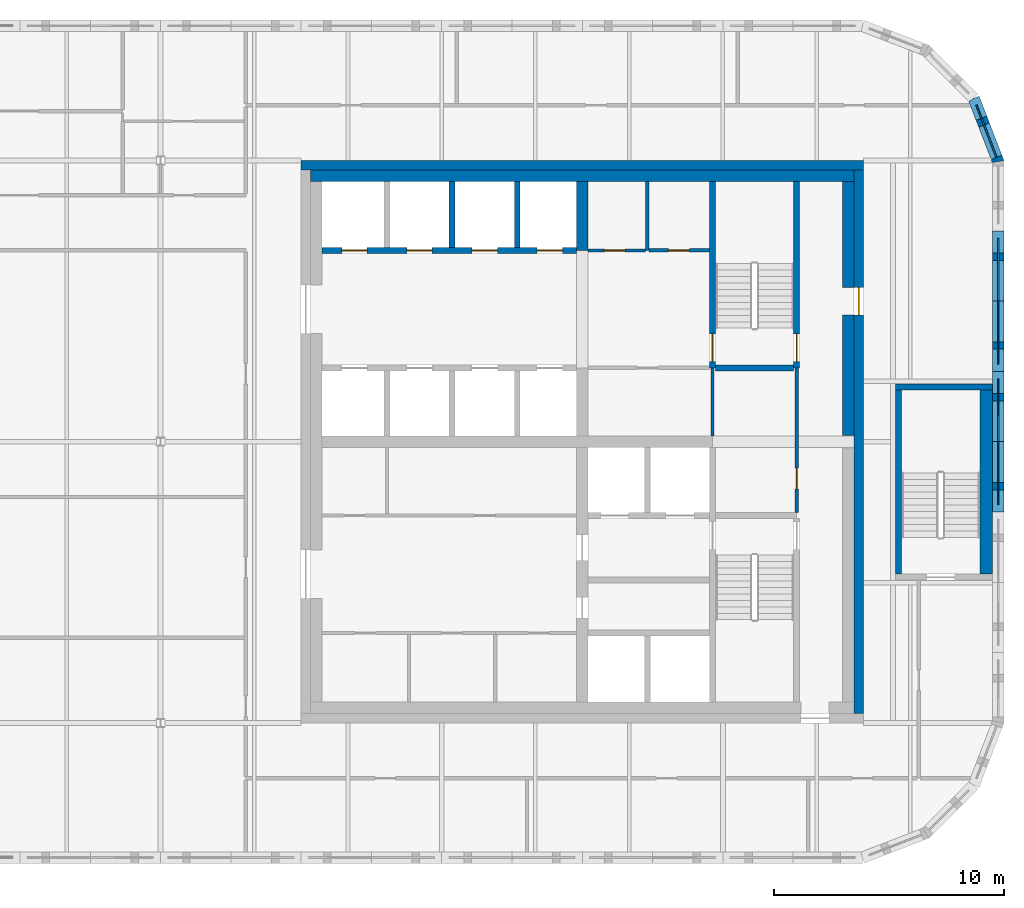
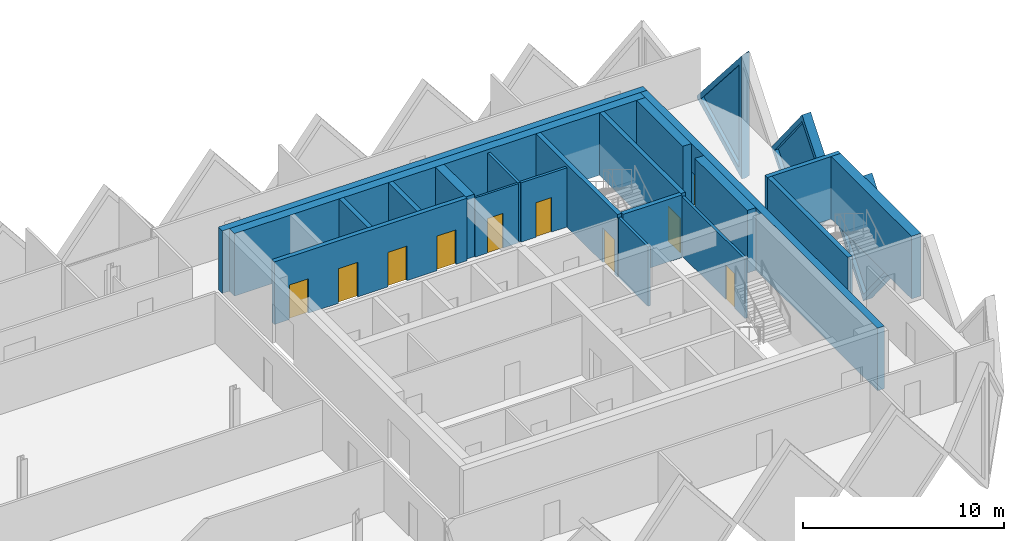
# One storey, part 7 of 11: 23 walls, 10 doors, 3 plates, 13 openings.
"""IFC4 building model written with IfcOpenShell, lengths in metres."""

from ifc_helpers import new_model, si_unit, direction, frame, frame_2d, origin, place, context, subcontext, project, spatial, polyline, rectangle, outline, extrude, faceted_brep, source, transform, mapped, material, layer, layer_set, type_object, element, fill, save


model = new_model("IFC4")

# Units and contexts
model_context = context("Model", 3, precision=1e-05, world=origin(), true_north=direction((0.0, 1.0)))
body_context = subcontext(model_context, "Body", "Model", "MODEL_VIEW")
ifc_project = project(units=[si_unit("LENGTHUNIT", "METRE"), si_unit("AREAUNIT", "SQUARE_METRE"), si_unit("VOLUMEUNIT", "CUBIC_METRE"), si_unit("PLANEANGLEUNIT", "RADIAN"), si_unit("MASSUNIT", "GRAM", prefix="KILO")], contexts=[model_context])

# Site, building, storey
site_placement = place(None, origin())
site = spatial("IfcSite", under=ifc_project, at=site_placement, CompositionType="ELEMENT")
building_placement = place(site_placement, origin())
building = spatial("IfcBuilding", under=site, at=building_placement, Name="Tessera Gate Towers", CompositionType="ELEMENT")
storey_placement = place(building_placement, frame((0.0, 0.0, 240.699951171875)))
storey = spatial("IfcBuildingStorey", under=building, at=storey_placement, Name="L60", CompositionType="ELEMENT", Elevation=240.699951171875)

# Wall, openings, doors
ifc_material_1 = material(Name="Concrete C40/50", Category="concrete")
ifc_layer_1 = layer(ifc_material_1, 0.25)
ifc_layer_set_1 = layer_set([ifc_layer_1], Name="CORE ENCLOSURE WALL 250")
wall_type_1 = type_object("IfcWallType", Name="CORE ENCLOSURE WALL 250", PredefinedType="SOLIDWALL", material=ifc_layer_set_1)
wall_1_placement = place(storey_placement, frame((42.449951171875, 44.89990234375, 0.0), z_axis=(0.0, 0.0, 1.0), x_axis=(-1.0, 0.0, 0.0)))
wall_1 = element("IfcWall", 1, at=wall_1_placement, inside=storey, type_object=wall_type_1, Name="L60 shaft and stair enclosure wall", PredefinedType="SOLIDWALL", context=body_context, shape_type="SweptSolid", body=[
    extrude(rectangle(XDim=11.050048828125, YDim=0.25, at=frame_2d((5.52490234375, 0.0))), origin(), (0.0, 0.0, 1.0), 3.800048828125),
])
shared_shape_1 = source(origin(), body_context, "Body", "SweptSolid", [
    extrude(rectangle(XDim=1.10009765625, YDim=2.10009765625, at=frame_2d((0.550048828125, 1.050048828125))), frame((0.0, 0.135009765625, 0.0), z_axis=(0.0, -1.0, 0.0), x_axis=(1.0, 0.0, 0.0)), (0.0, 0.0, 1.0), 0.27001953125),
])
opening_1_placement = place(wall_1_placement, frame((9.08740234375, 0.0, 0.0)))
opening_1 = element("IfcOpeningElement", 2, at=opening_1_placement, cuts=wall_1, Name="Opening LD-HR5", PredefinedType="OPENING", context=body_context, shape_type="MappedRepresentation", body=[
    mapped(shared_shape_1, transform((0.0, 0.0, 0.0), scale=1.0)),
])
opening_2_placement = place(wall_1_placement, frame((6.262451171875, 0.0, 0.0)))
opening_2 = element("IfcOpeningElement", 3, at=opening_2_placement, cuts=wall_1, Name="Opening LD-HR6", PredefinedType="OPENING", context=body_context, shape_type="MappedRepresentation", body=[
    mapped(shared_shape_1, transform((0.0, 0.0, 0.0), scale=1.0)),
])
opening_3_placement = place(wall_1_placement, frame((3.4375, 0.0, 0.0)))
opening_3 = element("IfcOpeningElement", 4, at=opening_3_placement, cuts=wall_1, Name="Opening LD-HR7", PredefinedType="OPENING", context=body_context, shape_type="MappedRepresentation", body=[
    mapped(shared_shape_1, transform((0.0, 0.0, 0.0), scale=1.0)),
])
opening_4_placement = place(wall_1_placement, frame((0.612548828125, 0.0, 0.0)))
opening_4 = element("IfcOpeningElement", 5, at=opening_4_placement, cuts=wall_1, Name="Opening LD-HR8", PredefinedType="OPENING", context=body_context, shape_type="MappedRepresentation", body=[
    mapped(shared_shape_1, transform((0.0, 0.0, 0.0), scale=1.0)),
])
ifc_material_2 = material(Name="Stainless steel", Category="steel")
door_type_1 = type_object("IfcDoorType", Name="CORE DOOR LD 1100x2100", OperationType="DOUBLE_DOOR_SLIDING", PredefinedType="DOOR", material=ifc_material_2)
shared_shape_2 = source(origin(), body_context, "Body", "SweptSolid", [
    extrude(rectangle(XDim=1.10009765625, YDim=2.10009765625, at=frame_2d((0.550048828125, 1.050048828125))), frame((0.0, 0.02490234375, 0.0), z_axis=(0.0, -1.0, 0.0), x_axis=(1.0, 0.0, 0.0)), (0.0, 0.0, 1.0), 0.050048828125),
])
door_1_placement = place(opening_1_placement, origin())
door_1 = element("IfcDoor", 6, at=door_1_placement, inside=storey, type_object=door_type_1, Name="Landing door HR5 L60", OperationType="DOUBLE_DOOR_SLIDING", OverallHeight=2.10009765625, OverallWidth=1.10009765625, PredefinedType="DOOR", context=body_context, shape_type="MappedRepresentation", body=[
    mapped(shared_shape_2, transform((0.0, 0.0, 0.0), scale=1.0)),
])
fill(opening_1, door_1)
door_2_placement = place(opening_2_placement, origin())
door_2 = element("IfcDoor", 7, at=door_2_placement, inside=storey, type_object=door_type_1, Name="Landing door HR6 L60", OperationType="DOUBLE_DOOR_SLIDING", OverallHeight=2.10009765625, OverallWidth=1.10009765625, PredefinedType="DOOR", context=body_context, shape_type="MappedRepresentation", body=[
    mapped(shared_shape_2, transform((0.0, 0.0, 0.0), scale=1.0)),
])
fill(opening_2, door_2)
door_3_placement = place(opening_3_placement, origin())
door_3 = element("IfcDoor", 8, at=door_3_placement, inside=storey, type_object=door_type_1, Name="Landing door HR7 L60", OperationType="DOUBLE_DOOR_SLIDING", OverallHeight=2.10009765625, OverallWidth=1.10009765625, PredefinedType="DOOR", context=body_context, shape_type="MappedRepresentation", body=[
    mapped(shared_shape_2, transform((0.0, 0.0, 0.0), scale=1.0)),
])
fill(opening_3, door_3)
door_4_placement = place(opening_4_placement, origin())
door_4 = element("IfcDoor", 9, at=door_4_placement, inside=storey, type_object=door_type_1, Name="Landing door HR8 L60", OperationType="DOUBLE_DOOR_SLIDING", OverallHeight=2.10009765625, OverallWidth=1.10009765625, PredefinedType="DOOR", context=body_context, shape_type="MappedRepresentation", body=[
    mapped(shared_shape_2, transform((0.0, 0.0, 0.0), scale=1.0)),
])
fill(opening_4, door_4)

# Wall, opening, door
wall_2_placement = place(storey_placement, frame((48.35009765625, 47.89990234375, 0.0), z_axis=(0.0, 0.0, 1.0), x_axis=(0.0, -1.0, 0.0)))
wall_2 = element("IfcWall", 10, at=wall_2_placement, inside=storey, type_object=wall_type_1, Name="L60 shaft and stair enclosure wall", PredefinedType="SOLIDWALL", context=body_context, shape_type="SweptSolid", body=[
    extrude(rectangle(XDim=8.099853515625, YDim=0.25, at=frame_2d((4.0498046875, 0.0))), origin(), (0.0, 0.0, 1.0), 3.800048828125),
])
shared_shape_3 = source(origin(), body_context, "Body", "SweptSolid", [
    extrude(rectangle(XDim=1.199951171875, YDim=2.10009765625, at=frame_2d((0.60009765625, 1.050048828125))), frame((0.0, 0.135009765625, 0.0), z_axis=(0.0, -1.0, 0.0), x_axis=(1.0, 0.0, 0.0)), (0.0, 0.0, 1.0), 0.27001953125),
])
opening_5_placement = place(wall_2_placement, frame((6.625, 0.0, 0.0)))
opening_5 = element("IfcOpeningElement", 11, at=opening_5_placement, cuts=wall_2, Name="Opening SD-ST2-1", PredefinedType="OPENING", context=body_context, shape_type="MappedRepresentation", body=[
    mapped(shared_shape_3, transform((0.0, 0.0, 0.0), scale=1.0)),
])
ifc_material_3 = material(Name="Hollow steel fire door", Category="steel")
door_type_2 = type_object("IfcDoorType", Name="CORE DOOR SD 1200x2100", OperationType="NOTDEFINED", PredefinedType="DOOR", material=ifc_material_3)
shared_shape_4 = source(origin(), body_context, "Body", "SweptSolid", [
    extrude(rectangle(XDim=1.199951171875, YDim=2.10009765625, at=frame_2d((0.60009765625, 1.050048828125))), frame((0.0, 0.02490234375, 0.0), z_axis=(0.0, -1.0, 0.0), x_axis=(1.0, 0.0, 0.0)), (0.0, 0.0, 1.0), 0.050048828125),
])
door_5_placement = place(opening_5_placement, origin())
door_5 = element("IfcDoor", 12, at=door_5_placement, inside=storey, type_object=door_type_2, Name="Stair door", OperationType="SINGLE_SWING_RIGHT", OverallHeight=2.10009765625, OverallWidth=1.199951171875, PredefinedType="DOOR", context=body_context, shape_type="MappedRepresentation", body=[
    mapped(shared_shape_4, transform((0.0, 0.0, 0.0), scale=1.0)),
])
fill(opening_5, door_5)

wall_3_placement = place(storey_placement, frame((52.0, 39.800048828125, 0.0), z_axis=(0.0, 0.0, 1.0), x_axis=(0.0, 1.0, 0.0)))
wall_3 = element("IfcWall", 13, at=wall_3_placement, inside=storey, type_object=wall_type_1, Name="L60 shaft and stair enclosure wall", PredefinedType="SOLIDWALL", context=body_context, shape_type="SweptSolid", body=[
    extrude(rectangle(XDim=8.099853515625, YDim=0.25, at=frame_2d((4.0498046875, 0.0))), origin(), (0.0, 0.0, 1.0), 3.800048828125),
])
opening_6_placement = place(wall_3_placement, frame((0.27490234375, 0.0, 0.0)))
opening_6 = element("IfcOpeningElement", 14, at=opening_6_placement, cuts=wall_3, Name="Opening SD-ST2-2", PredefinedType="OPENING", context=body_context, shape_type="MappedRepresentation", body=[
    mapped(shared_shape_3, transform((0.0, 0.0, 0.0), scale=1.0)),
])
door_6_placement = place(opening_6_placement, origin())
door_6 = element("IfcDoor", 15, at=door_6_placement, inside=storey, type_object=door_type_2, Name="Stair door", OperationType="SINGLE_SWING_LEFT", OverallHeight=2.10009765625, OverallWidth=1.199951171875, PredefinedType="DOOR", context=body_context, shape_type="MappedRepresentation", body=[
    mapped(shared_shape_4, transform((0.0, 0.0, 0.0), scale=1.0)),
])
fill(opening_6, door_6)

# Walls
wall_4_placement = place(storey_placement, frame((48.47509765625, 39.800048828125, 0.0), z_axis=(0.0, 0.0, 1.0), x_axis=(1.0, 0.0, 0.0)))
element("IfcWall", 16, at=wall_4_placement, inside=storey, type_object=wall_type_1, Name="L60 shaft and stair enclosure wall", PredefinedType="SOLIDWALL", context=body_context, shape_type="SweptSolid", body=[
    extrude(rectangle(XDim=3.39990234375, YDim=0.25, at=frame_2d((1.699951171875, 0.0))), origin(), (0.0, 0.0, 1.0), 3.800048828125),
])
for number, where, z_axis, x_axis, name in (
    (17, (37.050048828125, 45.02490234375, 0.0), (0.0, 0.0, 1.0), (0.0, 1.0, 0.0), "L60 shaft and stair enclosure wall"),
    (18, (39.875, 45.02490234375, 0.0), (0.0, 0.0, 1.0), (0.0, 1.0, 0.0), "L60 shaft and stair enclosure wall"),
):
    element("IfcWall", number, at=place(storey_placement, frame(where, z_axis=z_axis, x_axis=x_axis)), inside=storey, type_object=wall_type_1, Name=name, PredefinedType="SOLIDWALL", context=body_context, shape_type="SweptSolid", body=[
        extrude(rectangle(XDim=2.875, YDim=0.25, at=frame_2d((1.4375, 0.0))), origin(), (0.0, 0.0, 1.0), 3.800048828125),
    ])
wall_5_placement = place(storey_placement, frame((56.425048828125, 30.85009765625, 0.0), z_axis=(0.0, 0.0, 1.0), x_axis=(0.0, 1.0, 0.0)))
element("IfcWall", 19, at=wall_5_placement, inside=storey, type_object=wall_type_1, Name="L60 ST5 enclosure wall", PredefinedType="SOLIDWALL", context=body_context, shape_type="SweptSolid", body=[
    extrude(rectangle(XDim=8.0, YDim=0.25, at=frame_2d((4.0, 0.0))), origin(), (0.0, 0.0, 1.0), 3.800048828125),
])
wall_6_placement = place(storey_placement, frame((56.300048828125, 38.97509765625, 0.0), z_axis=(0.0, 0.0, 1.0), x_axis=(1.0, 0.0, 0.0)))
element("IfcWall", 20, at=wall_6_placement, inside=storey, type_object=wall_type_1, Name="L60 ST5 enclosure wall", PredefinedType="SOLIDWALL", context=body_context, shape_type="SweptSolid", body=[
    extrude(rectangle(XDim=4.199951171875, YDim=0.25, at=frame_2d((2.10009765625, 0.0))), origin(), (0.0, 0.0, 1.0), 3.800048828125),
])
ifc_material_4 = material(Name="Concrete C40/50", Category="concrete")
ifc_layer_2 = layer(ifc_material_4, 0.550048828125)
ifc_layer_set_2 = layer_set([ifc_layer_2], Name="CORE ENCLOSURE WALL 550")
wall_type_2 = type_object("IfcWallType", Name="CORE ENCLOSURE WALL 550", PredefinedType="SOLIDWALL", material=ifc_layer_set_2)
wall_7_placement = place(storey_placement, frame((60.22509765625, 38.85009765625, 0.0), z_axis=(0.0, 0.0, 1.0), x_axis=(0.0, -1.0, 0.0)))
element("IfcWall", 21, at=wall_7_placement, inside=storey, type_object=wall_type_2, Name="L60 ST5 enclosure wall", PredefinedType="SOLIDWALL", context=body_context, shape_type="SweptSolid", body=[
    extrude(rectangle(XDim=8.0, YDim=0.550048828125, at=frame_2d((4.0, 0.0))), origin(), (0.0, 0.0, 1.0), 3.800048828125),
])

# Wall, opening, door
ifc_material_5 = material(Name="Gypsum board on steel studs", Category="steel")
ifc_layer_3 = layer(ifc_material_5, 0.1201171875)
ifc_layer_set_3 = layer_set([ifc_layer_3], Name="CORE PARTITION 120")
wall_type_3 = type_object("IfcWallType", Name="CORE PARTITION 120", PredefinedType="PARTITIONING", material=ifc_layer_set_3)
wall_8_placement = place(storey_placement, frame((42.949951171875, 44.89990234375, 0.0), z_axis=(0.0, 0.0, 1.0), x_axis=(1.0, 0.0, 0.0)))
wall_8 = element("IfcWall", 22, at=wall_8_placement, inside=storey, type_object=wall_type_3, Name="L60 core partition", PredefinedType="PARTITIONING", context=body_context, shape_type="SweptSolid", body=[
    extrude(rectangle(XDim=2.5, YDim=0.1201171875, at=frame_2d((1.25, 0.0))), origin(), (0.0, 0.0, 1.0), 3.60009765625),
])
shared_shape_5 = source(origin(), body_context, "Body", "SweptSolid", [
    extrude(rectangle(XDim=0.89990234375, YDim=2.10009765625, at=frame_2d((0.449951171875, 1.050048828125))), frame((0.0, 0.070068359375, 0.0), z_axis=(0.0, -1.0, 0.0), x_axis=(1.0, 0.0, 0.0)), (0.0, 0.0, 1.0), 0.14013671875),
])
opening_7_placement = place(wall_8_placement, frame((0.71240234375, 0.0, 0.0)))
opening_7 = element("IfcOpeningElement", 23, at=opening_7_placement, cuts=wall_8, Name="Opening RD-T1-36-14", PredefinedType="OPENING", context=body_context, shape_type="MappedRepresentation", body=[
    mapped(shared_shape_5, transform((0.0, 0.0, 0.0), scale=1.0)),
])
ifc_material_6 = material(Name="Hollow steel fire door", Category="steel")
door_type_3 = type_object("IfcDoorType", Name="CORE DOOR RD 900x2100", OperationType="NOTDEFINED", PredefinedType="DOOR", material=ifc_material_6)
shared_shape_6 = source(origin(), body_context, "Body", "SweptSolid", [
    extrude(rectangle(XDim=0.89990234375, YDim=2.10009765625, at=frame_2d((0.449951171875, 1.050048828125))), frame((0.0, 0.02490234375, 0.0), z_axis=(0.0, -1.0, 0.0), x_axis=(1.0, 0.0, 0.0)), (0.0, 0.0, 1.0), 0.050048828125),
])
door_7_placement = place(opening_7_placement, origin())
door_7 = element("IfcDoor", 24, at=door_7_placement, inside=storey, type_object=door_type_3, Name="Core room door", OperationType="SINGLE_SWING_LEFT", OverallHeight=2.10009765625, OverallWidth=0.89990234375, PredefinedType="DOOR", context=body_context, shape_type="MappedRepresentation", body=[
    mapped(shared_shape_6, transform((0.0, 0.0, 0.0), scale=1.0)),
])
fill(opening_7, door_7)

# Wall
ifc_material_7 = material(Name="Concrete C40/50", Category="concrete")
ifc_layer_4 = layer(ifc_material_7, 0.39990234375)
ifc_layer_set_4 = layer_set([ifc_layer_4], Name="CORE SHEAR WALL 400 C40/50")
wall_type_4 = type_object("IfcWallType", Name="CORE SHEAR WALL 400 C40/50", PredefinedType="SHEAR", material=ifc_layer_set_4)
wall_9_placement = place(storey_placement, frame((30.5, 48.60009765625, 0.0), z_axis=(0.0, 0.0, 1.0), x_axis=(1.0, 0.0, 0.0)))
element("IfcWall", 25, at=wall_9_placement, inside=storey, type_object=wall_type_4, Name="Core wall N L60", PredefinedType="SHEAR", context=body_context, shape_type="SweptSolid", body=[
    extrude(rectangle(XDim=24.39990234375, YDim=0.39990234375, at=frame_2d((12.199951171875, 0.0))), origin(), (0.0, 0.0, 1.0), 3.800048828125),
])

# Wall, opening, door
wall_10_placement = place(storey_placement, frame((54.699951171875, 48.39990234375, 0.0), z_axis=(0.0, 0.0, 1.0), x_axis=(0.0, -1.0, 0.0)))
wall_10 = element("IfcWall", 26, at=wall_10_placement, inside=storey, type_object=wall_type_4, Name="Core wall E L60", PredefinedType="SHEAR", context=body_context, shape_type="SweptSolid", body=[
    extrude(rectangle(XDim=23.599853515625, YDim=0.39990234375, at=frame_2d((11.7998046875, 0.0))), origin(), (0.0, 0.0, 1.0), 3.800048828125),
])
shared_shape_7 = source(origin(), body_context, "Body", "SweptSolid", [
    extrude(rectangle(XDim=1.199951171875, YDim=2.10009765625, at=frame_2d((0.60009765625, 1.050048828125))), frame((0.0, 0.2099609375, 0.0), z_axis=(0.0, -1.0, 0.0), x_axis=(1.0, 0.0, 0.0)), (0.0, 0.0, 1.0), 0.419921875),
])
opening_8_placement = place(wall_10_placement, frame((5.10009765625, 0.0, 0.0)))
opening_8 = element("IfcOpeningElement", 27, at=opening_8_placement, cuts=wall_10, Name="Opening ED-T1-36-04", PredefinedType="OPENING", context=body_context, shape_type="MappedRepresentation", body=[
    mapped(shared_shape_7, transform((0.0, 0.0, 0.0), scale=1.0)),
])
ifc_material_8 = material(Name="Hollow steel fire door", Category="steel")
door_type_4 = type_object("IfcDoorType", Name="CORE DOOR ED 1200x2100", OperationType="NOTDEFINED", PredefinedType="DOOR", material=ifc_material_8)
door_8_placement = place(opening_8_placement, origin())
door_8 = element("IfcDoor", 28, at=door_8_placement, inside=storey, type_object=door_type_4, Name="Core exit door", OperationType="SINGLE_SWING_LEFT", OverallHeight=2.10009765625, OverallWidth=1.199951171875, PredefinedType="DOOR", context=body_context, shape_type="MappedRepresentation", body=[
    mapped(shared_shape_4, transform((0.0, 0.0, 0.0), scale=1.0)),
])
fill(opening_8, door_8)

# Walls
ifc_material_9 = material(Name="Concrete C40/50", Category="concrete")
ifc_layer_5 = layer(ifc_material_9, 0.5)
ifc_layer_set_5 = layer_set([ifc_layer_5], Name="CORE SPINE WALL 500 C40/50")
wall_type_5 = type_object("IfcWallType", Name="CORE SPINE WALL 500 C40/50", PredefinedType="SHEAR", material=ifc_layer_set_5)
wall_11_placement = place(storey_placement, frame((42.699951171875, 44.89990234375, 0.0), z_axis=(0.0, 0.0, 1.0), x_axis=(0.0, 1.0, 0.0)))
element("IfcWall", 29, at=wall_11_placement, inside=storey, type_object=wall_type_5, Name="Core wall spine L60", PredefinedType="SHEAR", context=body_context, shape_type="SweptSolid", body=[
    extrude(rectangle(XDim=3.0, YDim=0.5, at=frame_2d((1.5, 0.0))), origin(), (0.0, 0.0, 1.0), 3.800048828125),
])
ifc_material_10 = material(Name="Concrete C40/50", Category="concrete")
ifc_layer_6 = layer(ifc_material_10, 0.5)
ifc_layer_set_6 = layer_set([ifc_layer_6], Name="CORE WALL THICKENING 500")
wall_type_6 = type_object("IfcWallType", Name="CORE WALL THICKENING 500", PredefinedType="SOLIDWALL", material=ifc_layer_set_6)
wall_12_placement = place(storey_placement, frame((30.89990234375, 48.14990234375, 0.0), z_axis=(0.0, 0.0, 1.0), x_axis=(1.0, 0.0, 0.0)))
element("IfcWall", 30, at=wall_12_placement, inside=storey, type_object=wall_type_6, Name="Core wall thickening N L60", PredefinedType="SOLIDWALL", context=body_context, shape_type="SweptSolid", body=[
    extrude(rectangle(XDim=23.60009765625, YDim=0.5, at=frame_2d((11.800048828125, 0.0))), origin(), (0.0, 0.0, 1.0), 3.800048828125),
])
wall_13_placement = place(storey_placement, frame((54.25, 36.8798828125, 0.0), z_axis=(0.0, 0.0, 1.0), x_axis=(0.0, 1.0, 0.0)))
element("IfcWall", 31, at=wall_13_placement, inside=storey, type_object=wall_type_6, Name="Core wall thickening E L60", PredefinedType="SOLIDWALL", context=body_context, shape_type="SweptSolid", body=[
    extrude(rectangle(XDim=5.22021484375, YDim=0.5, at=frame_2d((2.610107421875, 0.0))), origin(), (0.0, 0.0, 1.0), 3.800048828125),
])
wall_14_placement = place(storey_placement, frame((54.25, 43.300048828125, 0.0), z_axis=(0.0, 0.0, 1.0), x_axis=(0.0, 1.0, 0.0)))
element("IfcWall", 32, at=wall_14_placement, inside=storey, type_object=wall_type_6, Name="Core wall thickening E L60", PredefinedType="SOLIDWALL", context=body_context, shape_type="SweptSolid", body=[
    extrude(rectangle(XDim=4.599853515625, YDim=0.5, at=frame_2d((2.2998046875, 0.0))), origin(), (0.0, 0.0, 1.0), 3.800048828125),
])

# Wall, opening, door
ifc_material_11 = material(Name="Gypsum board on steel studs", Category="steel")
ifc_layer_7 = layer(ifc_material_11, 0.14990234375)
ifc_layer_set_7 = layer_set([ifc_layer_7], Name="SERVICE ROOM WALL 150")
wall_type_7 = type_object("IfcWallType", Name="SERVICE ROOM WALL 150", PredefinedType="PARTITIONING", material=ifc_layer_set_7)
wall_15_placement = place(storey_placement, frame((52.0, 33.52490234375, 0.0), z_axis=(0.0, 0.0, 1.0), x_axis=(0.0, 1.0, 0.0)))
wall_15 = element("IfcWall", 33, at=wall_15_placement, inside=storey, type_object=wall_type_7, Name="L60 service room wall", PredefinedType="PARTITIONING", context=body_context, shape_type="SweptSolid", body=[
    extrude(rectangle(XDim=6.275146484375, YDim=0.14990234375, at=frame_2d((3.1376953125, 0.0))), origin(), (0.0, 0.0, 1.0), 3.60009765625),
])
shared_shape_8 = source(origin(), body_context, "Body", "SweptSolid", [
    extrude(rectangle(XDim=0.89990234375, YDim=2.10009765625, at=frame_2d((0.449951171875, 1.050048828125))), frame((0.0, 0.0849609375, 0.0), z_axis=(0.0, -1.0, 0.0), x_axis=(1.0, 0.0, 0.0)), (0.0, 0.0, 1.0), 0.169921875),
])
opening_9_placement = place(wall_15_placement, frame((1.02490234375, 0.0, 0.0)))
opening_9 = element("IfcOpeningElement", 34, at=opening_9_placement, cuts=wall_15, Name="Opening RD-T1-36-11", PredefinedType="OPENING", context=body_context, shape_type="MappedRepresentation", body=[
    mapped(shared_shape_8, transform((0.0, 0.0, 0.0), scale=1.0)),
])
door_9_placement = place(opening_9_placement, origin())
door_9 = element("IfcDoor", 35, at=door_9_placement, inside=storey, type_object=door_type_3, Name="Core room door", OperationType="SINGLE_SWING_LEFT", OverallHeight=2.10009765625, OverallWidth=0.89990234375, PredefinedType="DOOR", context=body_context, shape_type="MappedRepresentation", body=[
    mapped(shared_shape_6, transform((0.0, 0.0, 0.0), scale=1.0)),
])
fill(opening_9, door_9)

# Walls
wall_16_placement = place(storey_placement, frame((48.35009765625, 36.85009765625, 0.0), z_axis=(0.0, 0.0, 1.0), x_axis=(0.0, 1.0, 0.0)))
element("IfcWall", 36, at=wall_16_placement, inside=storey, type_object=wall_type_7, Name="L60 service room wall", PredefinedType="PARTITIONING", context=body_context, shape_type="SweptSolid", body=[
    extrude(rectangle(XDim=2.949951171875, YDim=0.14990234375, at=frame_2d((1.47509765625, 0.0))), origin(), (0.0, 0.0, 1.0), 3.60009765625),
])
wall_17_placement = place(storey_placement, frame((45.52490234375, 44.89990234375, 0.0), z_axis=(0.0, 0.0, 1.0), x_axis=(0.0, 1.0, 0.0)))
element("IfcWall", 37, at=wall_17_placement, inside=storey, type_object=wall_type_7, Name="L60 service room wall", PredefinedType="PARTITIONING", context=body_context, shape_type="SweptSolid", body=[
    extrude(rectangle(XDim=3.0, YDim=0.14990234375, at=frame_2d((1.5, 0.0))), origin(), (0.0, 0.0, 1.0), 3.60009765625),
])

# Wall, opening, door
wall_18_placement = place(storey_placement, frame((45.60009765625, 44.89990234375, 0.0), z_axis=(0.0, 0.0, 1.0), x_axis=(1.0, 0.0, 0.0)))
wall_18 = element("IfcWall", 38, at=wall_18_placement, inside=storey, type_object=wall_type_7, Name="L60 service room wall", PredefinedType="PARTITIONING", context=body_context, shape_type="SweptSolid", body=[
    extrude(rectangle(XDim=2.625, YDim=0.14990234375, at=frame_2d((1.3125, 0.0))), origin(), (0.0, 0.0, 1.0), 3.60009765625),
])
opening_10_placement = place(wall_18_placement, frame((0.85009765625, 0.0, 0.0)))
opening_10 = element("IfcOpeningElement", 39, at=opening_10_placement, cuts=wall_18, Name="Opening RD-T1-36-15", PredefinedType="OPENING", context=body_context, shape_type="MappedRepresentation", body=[
    mapped(shared_shape_8, transform((0.0, 0.0, 0.0), scale=1.0)),
])
door_10_placement = place(opening_10_placement, origin())
door_10 = element("IfcDoor", 40, at=door_10_placement, inside=storey, type_object=door_type_3, Name="Core room door", OperationType="SINGLE_SWING_LEFT", OverallHeight=2.10009765625, OverallWidth=0.89990234375, PredefinedType="DOOR", context=body_context, shape_type="MappedRepresentation", body=[
    mapped(shared_shape_6, transform((0.0, 0.0, 0.0), scale=1.0)),
])
fill(opening_10, door_10)

# Wall, opening, plate
ifc_material_12 = material(Name="Precast concrete C60/75 white", Category="concrete")
ifc_layer_8 = layer(ifc_material_12, 0.5)
ifc_layer_set_8 = layer_set([ifc_layer_8], Name="TS1 tessera")
wall_type_8 = type_object("IfcWallType", Name="TS1 tessera", PredefinedType="SOLIDWALL", material=ifc_layer_set_8)
shared_shape_9 = source(origin(), body_context, "Body", "Brep", [
    faceted_brep([(3.050048828125, -0.25, 0.0), (6.099853515625, -0.25, 3.7998046875), (6.099853515625, -0.25, 3.80029296875), (3.050048828125, -0.25, 7.60009765625), (0.0, -0.25, 3.800048828125), (0.0, 0.25, 3.800048828125), (3.050048828125, 0.25, 7.60009765625), (6.099853515625, 0.25, 3.80029296875), (6.099853515625, 0.25, 3.7998046875), (3.050048828125, 0.25, 0.0)], [[[0, 1, 2, 3, 4]], [[5, 6, 7, 8, 9]], [[9, 8, 1, 0]], [[7, 6, 3, 2]], [[6, 5, 4, 3]], [[5, 9, 0, 4]], [[1, 8, 7, 2]]]),
])
wall_19_placement = place(storey_placement, frame((60.75, 33.550048828125, -3.800048828125), z_axis=(0.0, 0.0, 1.0), x_axis=(0.0, 1.0, 0.0)))
wall_19 = element("IfcWall", 41, at=wall_19_placement, inside=storey, type_object=wall_type_8, Name="Precast tessera T1 TS1-1044", PredefinedType="SOLIDWALL", context=body_context, shape_type="MappedRepresentation", body=[
    mapped(shared_shape_9, transform((0.0, 0.0, 0.0), scale=1.0)),
])
shared_shape_10 = source(origin(), body_context, "Body", "SweptSolid", [
    extrude(outline(polyline([(3.050048828125, 0.3994140625), (5.779541015625, 3.800048828125), (3.050048828125, 7.20068359375), (0.320556640625, 3.800048828125), (3.050048828125, 0.3994140625)])), frame((0.0, 0.260009765625, 0.0), z_axis=(0.0, -1.0, 0.0), x_axis=(1.0, 0.0, 0.0)), (0.0, 0.0, 1.0), 0.52001953125),
])
opening_11_placement = place(wall_19_placement, origin())
opening_11 = element("IfcOpeningElement", 42, at=opening_11_placement, cuts=wall_19, Name="Opening T1-PL2-2132", PredefinedType="OPENING", context=body_context, shape_type="MappedRepresentation", body=[
    mapped(shared_shape_10, transform((0.0, 0.0, 0.0), scale=1.0)),
])
ifc_material_13 = material(Name="Low-e laminated glass", Category="glass")
ifc_layer_9 = layer(ifc_material_13, 0.06005859375)
ifc_layer_set_9 = layer_set([ifc_layer_9], Name="PL2 rhombic pane")
plate_type = type_object("IfcPlateType", Name="PL2 rhombic pane", PredefinedType="SHEET", material=ifc_layer_set_9)
shared_shape_11 = source(origin(), body_context, "Body", "SweptSolid", [
    extrude(outline(polyline([(3.050048828125, 0.3994140625), (5.779541015625, 3.800048828125), (3.050048828125, 7.20068359375), (0.320556640625, 3.800048828125), (3.050048828125, 0.3994140625)])), frame((0.0, 0.030029296875, 0.0), z_axis=(0.0, -1.0, 0.0), x_axis=(1.0, 0.0, 0.0)), (0.0, 0.0, 1.0), 0.06005859375),
])
plate_1_placement = place(opening_11_placement, origin())
plate_1 = element("IfcPlate", 43, at=plate_1_placement, inside=storey, type_object=plate_type, Name="Glass pane T1 PL2-2132", PredefinedType="SHEET", context=body_context, shape_type="MappedRepresentation", body=[
    mapped(shared_shape_11, transform((0.0, 0.0, 0.0), scale=1.0)),
])
fill(opening_11, plate_1)

shared_shape_12 = source(origin(), body_context, "Body", "SweptSolid", [
    extrude(outline(polyline([(3.050048828125, 0.0), (6.10009765625, 3.800048828125), (3.050048828125, 7.60009765625), (0.0, 3.800048828125), (3.050048828125, 0.0)])), frame((0.0, 0.25, 0.0), z_axis=(0.0, -1.0, 0.0), x_axis=(1.0, 0.0, 0.0)), (0.0, 0.0, 1.0), 0.5),
])
wall_20_placement = place(storey_placement, frame((60.75, 39.64990234375, -3.800048828125), z_axis=(0.0, 0.0, 1.0), x_axis=(0.0, 1.0, 0.0)))
wall_20 = element("IfcWall", 44, at=wall_20_placement, inside=storey, type_object=wall_type_8, Name="Precast tessera T1 TS1-1045", PredefinedType="SOLIDWALL", context=body_context, shape_type="MappedRepresentation", body=[
    mapped(shared_shape_12, transform((0.0, 0.0, 0.0), scale=1.0)),
])
opening_12_placement = place(wall_20_placement, origin())
opening_12 = element("IfcOpeningElement", 45, at=opening_12_placement, cuts=wall_20, Name="Opening T1-PL2-2133", PredefinedType="OPENING", context=body_context, shape_type="MappedRepresentation", body=[
    mapped(shared_shape_10, transform((0.0, 0.0, 0.0), scale=1.0)),
])
plate_2_placement = place(opening_12_placement, origin())
plate_2 = element("IfcPlate", 46, at=plate_2_placement, inside=storey, type_object=plate_type, Name="Glass pane T1 PL2-2133", PredefinedType="SHEET", context=body_context, shape_type="MappedRepresentation", body=[
    mapped(shared_shape_11, transform((0.0, 0.0, 0.0), scale=1.0)),
])
fill(opening_12, plate_2)

ifc_material_14 = material(Name="Precast concrete C60/75 white", Category="concrete")
ifc_layer_10 = layer(ifc_material_14, 0.5)
ifc_layer_set_10 = layer_set([ifc_layer_10], Name="TS3 corner tessera")
wall_type_9 = type_object("IfcWallType", Name="TS3 corner tessera", PredefinedType="SOLIDWALL", material=ifc_layer_set_10)
shared_shape_13 = source(origin(), body_context, "Body", "Brep", [
    faceted_brep([(0.046630859375, -0.25, 0.0), (2.9970703125, -0.25, 3.800048828125), (0.046630859375, -0.25, 7.60009765625), (0.0, -0.25, 7.541259765625), (0.0, -0.25, 0.058837890625), (0.09326171875, 0.25, 7.5400390625), (2.9443359375, 0.25, 3.8681640625), (2.9443359375, 0.25, 3.73193359375), (0.09326171875, 0.25, 0.06005859375), (2.9970703125, 0.00048828125, 3.800048828125), (0.046630859375, 0.0, 0.0), (0.046630859375, 0.0, 7.60009765625)], [[[0, 1, 2, 3, 4]], [[5, 6, 7, 8]], [[8, 7, 9, 1, 0, 10]], [[6, 5, 11, 2, 1, 9]], [[3, 2, 11]], [[10, 0, 4]], [[8, 10, 4, 3, 11, 5]], [[9, 7, 6]]]),
])
wall_21_placement = place(storey_placement, frame((60.766845703125, 48.7099609375, -3.800048828125), z_axis=(0.0, 0.0, 1.0), x_axis=(-0.359901446078, 0.932990326376, 0.0)))
wall_21 = element("IfcWall", 47, at=wall_21_placement, inside=storey, type_object=wall_type_9, Name="Precast corner tessera T1 TS3-1390", PredefinedType="SOLIDWALL", context=body_context, shape_type="MappedRepresentation", body=[
    mapped(shared_shape_13, transform((0.0, 0.0, 0.0), scale=1.0)),
])
shared_shape_14 = source(origin(), body_context, "Body", "SweptSolid", [
    extrude(outline(polyline([(0.24658203125, 0.665283203125), (2.6806640625, 3.800048828125), (0.24658203125, 6.934814453125), (0.24658203125, 0.665283203125)])), frame((0.0, 0.260009765625, 0.0), z_axis=(0.0, -1.0, 0.0), x_axis=(1.0, 0.0, 0.0)), (0.0, 0.0, 1.0), 0.52001953125),
])
opening_13_placement = place(wall_21_placement, origin())
opening_13 = element("IfcOpeningElement", 48, at=opening_13_placement, cuts=wall_21, Name="Opening T1-PL2-2135", PredefinedType="OPENING", context=body_context, shape_type="MappedRepresentation", body=[
    mapped(shared_shape_14, transform((0.0, 0.0, 0.0), scale=1.0)),
])
shared_shape_15 = source(origin(), body_context, "Body", "SweptSolid", [
    extrude(outline(polyline([(0.24658203125, 0.665283203125), (2.6806640625, 3.800048828125), (0.24658203125, 6.934814453125), (0.24658203125, 0.665283203125)])), frame((0.0, 0.030029296875, 0.0), z_axis=(0.0, -1.0, 0.0), x_axis=(1.0, 0.0, 0.0)), (0.0, 0.0, 1.0), 0.06005859375),
])
plate_3_placement = place(opening_13_placement, origin())
plate_3 = element("IfcPlate", 49, at=plate_3_placement, inside=storey, type_object=plate_type, Name="Glass pane T1 PL2-2135", PredefinedType="SHEET", context=body_context, shape_type="MappedRepresentation", body=[
    mapped(shared_shape_15, transform((0.0, 0.0, 0.0), scale=1.0)),
])
fill(opening_13, plate_3)

save(model, "model.ifc")
